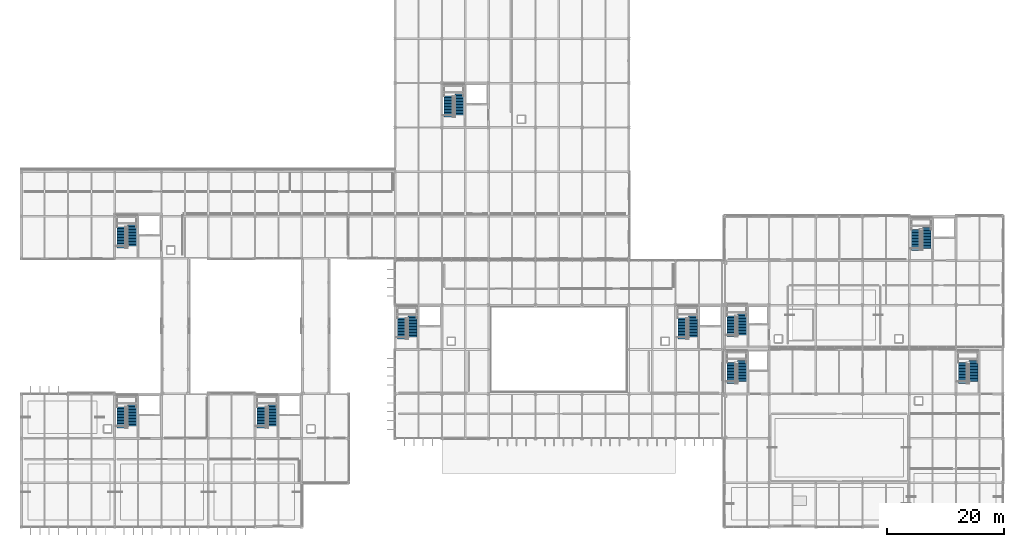
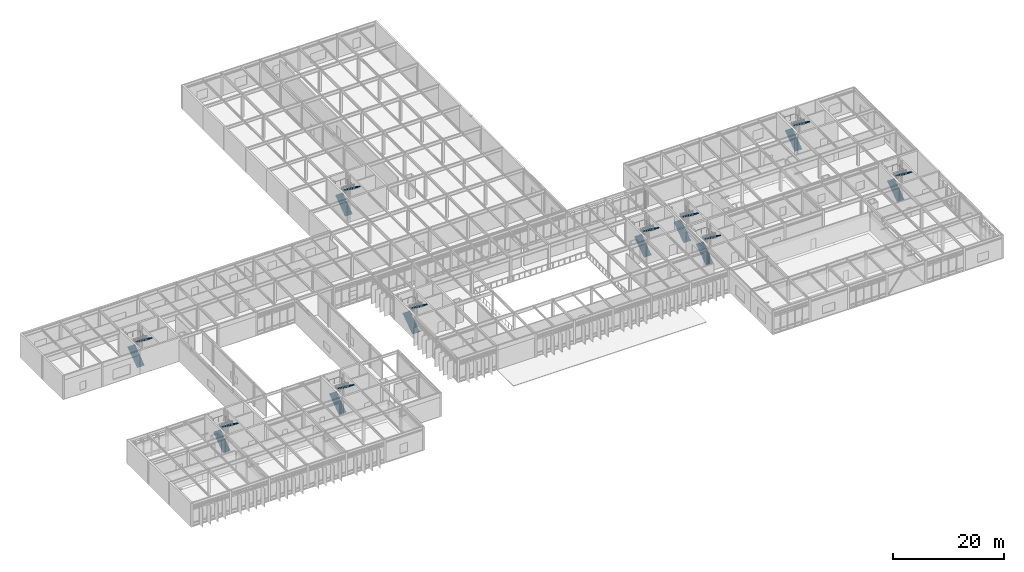
# One storey, part 79 of 94: 20 stair flights, 10 elements without a shape of their own.
"""IFC4 building model written with IfcOpenShell, lengths in metres."""

import ifcopenshell
import ifcopenshell.guid

model = None  # the IFC model being written
_history = None  # IfcOwnerHistory: only IFC2X3 demands one
_inside = {}  # id of a spatial element -> (the spatial element, [elements in it])
_under = {}  # id of a project, library or spatial element -> (it, [spatial elements below it])
_declared = {}  # id of a project -> (the project, [libraries it declares])
_typed = {}  # id of a type object -> (the type object, [elements of that type])
_made_of = {}  # id of a material, layer set ... -> (it, [elements and type objects made of it])


def new_model(schema):
    """Start an empty IFC model of exactly this schema.

    Asked for "IFC4X3", IfcOpenShell would pick the latest addendum, in which some entities
    have other attributes; the version numbers below select the first issue.
    IFC2X3 requires an IfcOwnerHistory on every rooted entity: one is made here for all.
    """
    global model, _history
    if schema == "IFC4X3":
        model = ifcopenshell.file(schema_version=(4, 3, 0, 0))
    else:
        model = ifcopenshell.file(schema=schema)
    _inside.clear()
    _under.clear()
    _declared.clear()
    _typed.clear()
    _made_of.clear()
    _history = None
    if model.schema == "IFC2X3":
        org = make("IfcOrganization", Name="unknown")
        user = make(
            "IfcPersonAndOrganization",
            ThePerson=make("IfcPerson", FamilyName="unknown"),
            TheOrganization=org,
        )
        app = make(
            "IfcApplication",
            ApplicationDeveloper=org,
            Version="unknown",
            ApplicationFullName="unknown",
            ApplicationIdentifier="unknown",
        )
        _history = make(
            "IfcOwnerHistory",
            OwningUser=user,
            OwningApplication=app,
            ChangeAction="ADDED",
            CreationDate=0,
        )
    return model


def make(cls, **values):
    """One entity of the class cls with the attributes given. An attribute that is None is left unset."""
    return model.create_entity(
        cls, **{name: value for name, value in values.items() if value is not None}
    )


def rooted(cls, **values):
    """An entity with a GlobalId (a new one), such as an element, a storey or a relation."""
    return make(cls, GlobalId=ifcopenshell.guid.new(), OwnerHistory=_history, **values)


def si_unit(unit_type, name, prefix=None):
    """IfcSIUnit, for example si_unit("LENGTHUNIT", "METRE", prefix="MILLI")."""
    return make("IfcSIUnit", UnitType=unit_type, Prefix=prefix, Name=name)


def assignment(units):
    """IfcUnitAssignment: the units of a project."""
    return None if units is None else make("IfcUnitAssignment", Units=units)


def point(xyz):
    """IfcCartesianPoint."""
    return None if xyz is None else make("IfcCartesianPoint", Coordinates=xyz)


def direction(xyz):
    """IfcDirection."""
    return None if xyz is None else make("IfcDirection", DirectionRatios=xyz)


def frame(location, z_axis=None, x_axis=None):
    """IfcAxis2Placement3D, a coordinate frame: its origin and axes. An axis left out is left unset."""
    return make(
        "IfcAxis2Placement3D",
        Location=point(location),
        Axis=direction(z_axis),
        RefDirection=direction(x_axis),
    )


def origin():
    """The frame at (0, 0, 0) with its axes left unset."""
    return frame((0.0, 0.0, 0.0))


def place(relative_to, where):
    """IfcLocalPlacement: puts the frame where relative to a parent placement (None: the world)."""
    return make(
        "IfcLocalPlacement", PlacementRelTo=relative_to, RelativePlacement=where
    )


def context(
    kind, dimensions, precision=None, world=None, true_north=None, identifier=None
):
    """IfcGeometricRepresentationContext, for example the 3D "Model" context."""
    return make(
        "IfcGeometricRepresentationContext",
        ContextIdentifier=identifier,
        ContextType=kind,
        CoordinateSpaceDimension=dimensions,
        Precision=precision,
        WorldCoordinateSystem=world,
        TrueNorth=true_north,
    )


def subcontext(parent, identifier, kind, view, scale=None):
    """IfcGeometricRepresentationSubContext, for example "Body" below "Model"."""
    return make(
        "IfcGeometricRepresentationSubContext",
        ContextIdentifier=identifier,
        ContextType=kind,
        ParentContext=parent,
        TargetScale=scale,
        TargetView=view,
    )


def project(units=None, contexts=None):
    """IfcProject with its units and contexts."""
    return rooted(
        "IfcProject",
        Name="project",
        RepresentationContexts=contexts,
        UnitsInContext=assignment(units),
    )


def spatial(cls, under=None, at=None, **own):
    """A site, building, storey or space (cls), placed at a placement, below another one or the project."""
    s = rooted(cls, ObjectPlacement=at, **own)
    if under is not None:
        _under.setdefault(under.id(), (under, []))[1].append(s)
    return s


def polyline(points):
    """IfcPolyline through the points."""
    return make("IfcPolyline", Points=[point(p) for p in points])


def outline(outer, holes=None, kind="AREA"):
    """IfcArbitraryClosedProfileDef: a profile drawn as a closed curve; with holes, ...WithVoids."""
    if holes is None:
        return make("IfcArbitraryClosedProfileDef", ProfileType=kind, OuterCurve=outer)
    return make(
        "IfcArbitraryProfileDefWithVoids",
        ProfileType=kind,
        OuterCurve=outer,
        InnerCurves=holes,
    )


def extrude(swept, where, along, depth):
    """IfcExtrudedAreaSolid: the profile swept, set in the frame where, extruded along a direction by depth."""
    return make(
        "IfcExtrudedAreaSolid",
        SweptArea=swept,
        Position=where,
        ExtrudedDirection=direction(along),
        Depth=depth,
    )


def shape(context_of_items, identifier, shape_type, items):
    """IfcShapeRepresentation: the items that make up one representation, for example the "Body"."""
    return make(
        "IfcShapeRepresentation",
        ContextOfItems=context_of_items,
        RepresentationIdentifier=identifier,
        RepresentationType=shape_type,
        Items=items,
    )


def material(Name=None, Category=None):
    """IfcMaterial."""
    return make("IfcMaterial", Name=Name, Category=Category)


def made_of(thing, what):
    """Note that an element or type object is made of a material, layer set ...; save() writes the relation."""
    if what is not None:
        _made_of.setdefault(what.id(), (what, []))[1].append(thing)
    return thing


def type_object(cls, material=None, **own):
    """A type object (cls), such as IfcWallType, which elements share."""
    return made_of(rooted(cls, **own), material)


def element(
    cls,
    number,
    at=None,
    inside=None,
    cuts=None,
    type_object=None,
    material=None,
    context=None,
    identifier="Body",
    shape_type=None,
    held_by="IfcProductDefinitionShape",
    body=None,
    shapes=None,
    **own,
):
    """One element of the class cls, such as IfcWall. Its Tag is "e" and its number.

    at: its placement. inside: the storey or other place that contains it. cuts: it is an
    opening in that element (IfcRelVoidsElement). A single representation is given by context,
    identifier, shape_type and body (its items); several are given by shapes. held_by: the class
    of the entity that holds the representations. save() writes the other relations.
    """
    e = rooted(cls, Tag="e%d" % number, ObjectPlacement=at, **own)
    if body is not None:
        shapes = [shape(context, identifier, shape_type, body)]
    if shapes is not None:
        e.Representation = make(held_by, Representations=shapes)
    if inside is not None:
        _inside.setdefault(inside.id(), (inside, []))[1].append(e)
    if cuts is not None:
        rooted(
            "IfcRelVoidsElement", RelatingBuildingElement=cuts, RelatedOpeningElement=e
        )
    if type_object is not None:
        _typed.setdefault(type_object.id(), (type_object, []))[1].append(e)
    return made_of(e, material)


def aggregate(whole, parts):
    """IfcRelAggregates: a whole, such as a stair, and the parts it consists of."""
    return rooted("IfcRelAggregates", RelatingObject=whole, RelatedObjects=parts)


def save(model, path):
    """Write the relations noted so far, then the file.

    IfcRelAggregates (storeys below a building ...), IfcRelContainedInSpatialStructure (elements
    in a storey), IfcRelDefinesByType, IfcRelAssociatesMaterial and IfcRelDeclares: one each for
    every whole, place, type object, material and project.
    """
    for whole, parts in _under.values():
        aggregate(whole, parts)
    for where, things in _inside.values():
        rooted(
            "IfcRelContainedInSpatialStructure",
            RelatedElements=things,
            RelatingStructure=where,
        )
    for kind, things in _typed.values():
        rooted("IfcRelDefinesByType", RelatedObjects=things, RelatingType=kind)
    for what, things in _made_of.values():
        rooted("IfcRelAssociatesMaterial", RelatedObjects=things, RelatingMaterial=what)
    for by, libraries in _declared.values():
        rooted("IfcRelDeclares", RelatingContext=by, RelatedDefinitions=libraries)
    model.write(path)


model = new_model("IFC4")

# Units and contexts
model_context = context("Model", 3, precision=1e-05, world=origin(), true_north=direction((0.0, 1.0)))
body_context = subcontext(model_context, "Body", "Model", "MODEL_VIEW")
ifc_project = project(units=[si_unit("LENGTHUNIT", "METRE"), si_unit("AREAUNIT", "SQUARE_METRE"), si_unit("VOLUMEUNIT", "CUBIC_METRE"), si_unit("PLANEANGLEUNIT", "RADIAN"), si_unit("MASSUNIT", "GRAM", prefix="KILO")], contexts=[model_context])

# Site, building, storey
site_placement = place(None, origin())
site = spatial("IfcSite", under=ifc_project, at=site_placement, CompositionType="ELEMENT")
building_placement = place(site_placement, origin())
building = spatial("IfcBuilding", under=site, at=building_placement, Name="Zulena Civic Courthouse", CompositionType="ELEMENT")
storey_placement = place(building_placement, frame((0.0, 0.0, 5.39990234375)))
storey = spatial("IfcBuildingStorey", under=building, at=storey_placement, Name="L01", CompositionType="ELEMENT", Elevation=5.39990234375)

# Stair, stair flights
ifc_material = material(Name="Precast concrete C40/50", Category="concrete")
stair_type = type_object("IfcStairType", Name="HalfTurnStair_5400", PredefinedType="HALF_TURN_STAIR", material=ifc_material)
stair_1_placement = place(storey_placement, origin())
stair_1 = element("IfcStair", 1, at=stair_1_placement, inside=storey, type_object=stair_type, Name="stair:K2A:L01", PredefinedType="HALF_TURN_STAIR")
stair_flight_type = type_object("IfcStairFlightType", Name="StairFlight_5400", PredefinedType="STRAIGHT", material=ifc_material)
stair_flight_1_placement = place(storey_placement, frame((21.1298828125, 16.97998046875, 0.0), z_axis=(0.0, 0.0, 1.0), x_axis=(0.0, 1.0, 0.0)))
stair_flight_1 = element("IfcStairFlight", 2, at=stair_flight_1_placement, type_object=stair_flight_type, Name="stair:K2A:L01:F1", NumberOfRisers=15, NumberOfTreads=14, PredefinedType="STRAIGHT", RiserHeight=0.18, TreadLength=0.255, context=body_context, shape_type="SweptSolid", body=[
    extrude(outline(polyline([(0.0, 0.0), (0.0, 0.179931640625), (0.2548828125, 0.179931640625), (0.2548828125, 0.360107421875), (0.510009765625, 0.360107421875), (0.510009765625, 0.5400390625), (0.764892578125, 0.5400390625), (0.764892578125, 0.719970703125), (1.02001953125, 0.719970703125), (1.02001953125, 0.89990234375), (1.27490234375, 0.89990234375), (1.27490234375, 1.080078125), (1.530029296875, 1.080078125), (1.530029296875, 1.260009765625), (1.784912109375, 1.260009765625), (1.784912109375, 1.43994140625), (2.0400390625, 1.43994140625), (2.0400390625, 1.6201171875), (2.294921875, 1.6201171875), (2.294921875, 1.800048828125), (2.550048828125, 1.800048828125), (2.550048828125, 1.97998046875), (2.804931640625, 1.97998046875), (2.804931640625, 2.159912109375), (3.06005859375, 2.159912109375), (3.06005859375, 2.340087890625), (3.31494140625, 2.340087890625), (3.31494140625, 2.52001953125), (3.570068359375, 2.52001953125), (3.570068359375, 2.699951171875), (3.570068359375, 2.3916015625), (0.18212890625, 0.0), (0.0, 0.0)])), frame((0.0, 0.75, 0.0), z_axis=(0.0, -1.0, 0.0), x_axis=(1.0, 0.0, 0.0)), (0.0, 0.0, 1.0), 1.5),
])
stair_flight_2_placement = place(storey_placement, frame((22.969970703125, 20.8896484375, 2.7001953125), z_axis=(0.0, 0.0, 1.0), x_axis=(0.0, -1.0, 0.0)))
stair_flight_2 = element("IfcStairFlight", 3, at=stair_flight_2_placement, type_object=stair_flight_type, Name="stair:K2A:L01:F2", NumberOfRisers=15, NumberOfTreads=14, PredefinedType="STRAIGHT", RiserHeight=0.18, TreadLength=0.255, context=body_context, shape_type="SweptSolid", body=[
    extrude(outline(polyline([(0.0, 0.0), (0.0, 0.179931640625), (0.2548828125, 0.179931640625), (0.2548828125, 0.360107421875), (0.510009765625, 0.360107421875), (0.510009765625, 0.5400390625), (0.764892578125, 0.5400390625), (0.764892578125, 0.719970703125), (1.02001953125, 0.719970703125), (1.02001953125, 0.89990234375), (1.27490234375, 0.89990234375), (1.27490234375, 1.080078125), (1.530029296875, 1.080078125), (1.530029296875, 1.260009765625), (1.784912109375, 1.260009765625), (1.784912109375, 1.43994140625), (2.0400390625, 1.43994140625), (2.0400390625, 1.6201171875), (2.294921875, 1.6201171875), (2.294921875, 1.800048828125), (2.550048828125, 1.800048828125), (2.550048828125, 1.97998046875), (2.804931640625, 1.97998046875), (2.804931640625, 2.159912109375), (3.06005859375, 2.159912109375), (3.06005859375, 2.340087890625), (3.31494140625, 2.340087890625), (3.31494140625, 2.52001953125), (3.570068359375, 2.52001953125), (3.570068359375, 2.699951171875), (3.570068359375, 2.3916015625), (0.18212890625, 0.0), (0.0, 0.0)])), frame((0.0, 0.75, 0.0), z_axis=(0.0, -1.0, 0.0), x_axis=(1.0, 0.0, 0.0)), (0.0, 0.0, 1.0), 1.5),
])
aggregate(stair_1, [stair_flight_1, stair_flight_2])

stair_2_placement = place(storey_placement, origin())
stair_2 = element("IfcStair", 4, at=stair_2_placement, inside=storey, type_object=stair_type, Name="stair:K2B:L01", PredefinedType="HALF_TURN_STAIR")
stair_flight_3_placement = place(storey_placement, frame((45.1298828125, 16.97998046875, 0.0), z_axis=(0.0, 0.0, 1.0), x_axis=(0.0, 1.0, 0.0)))
stair_flight_3 = element("IfcStairFlight", 5, at=stair_flight_3_placement, type_object=stair_flight_type, Name="stair:K2B:L01:F1", NumberOfRisers=15, NumberOfTreads=14, PredefinedType="STRAIGHT", RiserHeight=0.18, TreadLength=0.255, context=body_context, shape_type="SweptSolid", body=[
    extrude(outline(polyline([(0.0, 0.0), (0.0, 0.179931640625), (0.2548828125, 0.179931640625), (0.2548828125, 0.360107421875), (0.510009765625, 0.360107421875), (0.510009765625, 0.5400390625), (0.764892578125, 0.5400390625), (0.764892578125, 0.719970703125), (1.02001953125, 0.719970703125), (1.02001953125, 0.89990234375), (1.27490234375, 0.89990234375), (1.27490234375, 1.080078125), (1.530029296875, 1.080078125), (1.530029296875, 1.260009765625), (1.784912109375, 1.260009765625), (1.784912109375, 1.43994140625), (2.0400390625, 1.43994140625), (2.0400390625, 1.6201171875), (2.294921875, 1.6201171875), (2.294921875, 1.800048828125), (2.550048828125, 1.800048828125), (2.550048828125, 1.97998046875), (2.804931640625, 1.97998046875), (2.804931640625, 2.159912109375), (3.06005859375, 2.159912109375), (3.06005859375, 2.340087890625), (3.31494140625, 2.340087890625), (3.31494140625, 2.52001953125), (3.570068359375, 2.52001953125), (3.570068359375, 2.699951171875), (3.570068359375, 2.3916015625), (0.18212890625, 0.0), (0.0, 0.0)])), frame((0.0, 0.75, 0.0), z_axis=(0.0, -1.0, 0.0), x_axis=(1.0, 0.0, 0.0)), (0.0, 0.0, 1.0), 1.5),
])
stair_flight_4_placement = place(storey_placement, frame((46.969970703125, 20.8896484375, 2.7001953125), z_axis=(0.0, 0.0, 1.0), x_axis=(0.0, -1.0, 0.0)))
stair_flight_4 = element("IfcStairFlight", 6, at=stair_flight_4_placement, type_object=stair_flight_type, Name="stair:K2B:L01:F2", NumberOfRisers=15, NumberOfTreads=14, PredefinedType="STRAIGHT", RiserHeight=0.18, TreadLength=0.255, context=body_context, shape_type="SweptSolid", body=[
    extrude(outline(polyline([(0.0, 0.0), (0.0, 0.179931640625), (0.2548828125, 0.179931640625), (0.2548828125, 0.360107421875), (0.510009765625, 0.360107421875), (0.510009765625, 0.5400390625), (0.764892578125, 0.5400390625), (0.764892578125, 0.719970703125), (1.02001953125, 0.719970703125), (1.02001953125, 0.89990234375), (1.27490234375, 0.89990234375), (1.27490234375, 1.080078125), (1.530029296875, 1.080078125), (1.530029296875, 1.260009765625), (1.784912109375, 1.260009765625), (1.784912109375, 1.43994140625), (2.0400390625, 1.43994140625), (2.0400390625, 1.6201171875), (2.294921875, 1.6201171875), (2.294921875, 1.800048828125), (2.550048828125, 1.800048828125), (2.550048828125, 1.97998046875), (2.804931640625, 1.97998046875), (2.804931640625, 2.159912109375), (3.06005859375, 2.159912109375), (3.06005859375, 2.340087890625), (3.31494140625, 2.340087890625), (3.31494140625, 2.52001953125), (3.570068359375, 2.52001953125), (3.570068359375, 2.699951171875), (3.570068359375, 2.3916015625), (0.18212890625, 0.0), (0.0, 0.0)])), frame((0.0, 0.75, 0.0), z_axis=(0.0, -1.0, 0.0), x_axis=(1.0, 0.0, 0.0)), (0.0, 0.0, 1.0), 1.5),
])
aggregate(stair_2, [stair_flight_3, stair_flight_4])

stair_3_placement = place(storey_placement, origin())
stair_3 = element("IfcStair", 7, at=stair_3_placement, inside=storey, type_object=stair_type, Name="stair:K1A:L01", PredefinedType="HALF_TURN_STAIR")
stair_flight_5_placement = place(storey_placement, frame((125.530029296875, 24.580078125, 0.0), z_axis=(0.0, 0.0, 1.0), x_axis=(0.0, 1.0, 0.0)))
stair_flight_5 = element("IfcStairFlight", 8, at=stair_flight_5_placement, type_object=stair_flight_type, Name="stair:K1A:L01:F1", NumberOfRisers=15, NumberOfTreads=14, PredefinedType="STRAIGHT", RiserHeight=0.18, TreadLength=0.255, context=body_context, shape_type="SweptSolid", body=[
    extrude(outline(polyline([(0.0, 0.0), (0.0, 0.179931640625), (0.2548828125, 0.179931640625), (0.2548828125, 0.360107421875), (0.510009765625, 0.360107421875), (0.510009765625, 0.5400390625), (0.764892578125, 0.5400390625), (0.764892578125, 0.719970703125), (1.02001953125, 0.719970703125), (1.02001953125, 0.89990234375), (1.27490234375, 0.89990234375), (1.27490234375, 1.080078125), (1.530029296875, 1.080078125), (1.530029296875, 1.260009765625), (1.784912109375, 1.260009765625), (1.784912109375, 1.43994140625), (2.0400390625, 1.43994140625), (2.0400390625, 1.6201171875), (2.294921875, 1.6201171875), (2.294921875, 1.800048828125), (2.550048828125, 1.800048828125), (2.550048828125, 1.97998046875), (2.804931640625, 1.97998046875), (2.804931640625, 2.159912109375), (3.06005859375, 2.159912109375), (3.06005859375, 2.340087890625), (3.31494140625, 2.340087890625), (3.31494140625, 2.52001953125), (3.570068359375, 2.52001953125), (3.570068359375, 2.699951171875), (3.570068359375, 2.3916015625), (0.18212890625, 0.0), (0.0, 0.0)])), frame((0.0, 0.75, 0.0), z_axis=(0.0, -1.0, 0.0), x_axis=(1.0, 0.0, 0.0)), (0.0, 0.0, 1.0), 1.5),
])
stair_flight_6_placement = place(storey_placement, frame((127.3701171875, 28.48974609375, 2.7001953125), z_axis=(0.0, 0.0, 1.0), x_axis=(0.0, -1.0, 0.0)))
stair_flight_6 = element("IfcStairFlight", 9, at=stair_flight_6_placement, type_object=stair_flight_type, Name="stair:K1A:L01:F2", NumberOfRisers=15, NumberOfTreads=14, PredefinedType="STRAIGHT", RiserHeight=0.18, TreadLength=0.255, context=body_context, shape_type="SweptSolid", body=[
    extrude(outline(polyline([(0.0, 0.0), (0.0, 0.179931640625), (0.2548828125, 0.179931640625), (0.2548828125, 0.360107421875), (0.510009765625, 0.360107421875), (0.510009765625, 0.5400390625), (0.764892578125, 0.5400390625), (0.764892578125, 0.719970703125), (1.02001953125, 0.719970703125), (1.02001953125, 0.89990234375), (1.27490234375, 0.89990234375), (1.27490234375, 1.080078125), (1.530029296875, 1.080078125), (1.530029296875, 1.260009765625), (1.784912109375, 1.260009765625), (1.784912109375, 1.43994140625), (2.0400390625, 1.43994140625), (2.0400390625, 1.6201171875), (2.294921875, 1.6201171875), (2.294921875, 1.800048828125), (2.550048828125, 1.800048828125), (2.550048828125, 1.97998046875), (2.804931640625, 1.97998046875), (2.804931640625, 2.159912109375), (3.06005859375, 2.159912109375), (3.06005859375, 2.340087890625), (3.31494140625, 2.340087890625), (3.31494140625, 2.52001953125), (3.570068359375, 2.52001953125), (3.570068359375, 2.699951171875), (3.570068359375, 2.3916015625), (0.18212890625, 0.0), (0.0, 0.0)])), frame((0.0, 0.75, 0.0), z_axis=(0.0, -1.0, 0.0), x_axis=(1.0, 0.0, 0.0)), (0.0, 0.0, 1.0), 1.5),
])
aggregate(stair_3, [stair_flight_5, stair_flight_6])

stair_4_placement = place(storey_placement, origin())
stair_4 = element("IfcStair", 10, at=stair_4_placement, inside=storey, type_object=stair_type, Name="stair:K1B:L01", PredefinedType="HALF_TURN_STAIR")
stair_flight_7_placement = place(storey_placement, frame((165.1298828125, 24.580078125, 0.0), z_axis=(0.0, 0.0, 1.0), x_axis=(0.0, 1.0, 0.0)))
stair_flight_7 = element("IfcStairFlight", 11, at=stair_flight_7_placement, type_object=stair_flight_type, Name="stair:K1B:L01:F1", NumberOfRisers=15, NumberOfTreads=14, PredefinedType="STRAIGHT", RiserHeight=0.18, TreadLength=0.255, context=body_context, shape_type="SweptSolid", body=[
    extrude(outline(polyline([(0.0, 0.0), (0.0, 0.179931640625), (0.2548828125, 0.179931640625), (0.2548828125, 0.360107421875), (0.510009765625, 0.360107421875), (0.510009765625, 0.5400390625), (0.764892578125, 0.5400390625), (0.764892578125, 0.719970703125), (1.02001953125, 0.719970703125), (1.02001953125, 0.89990234375), (1.27490234375, 0.89990234375), (1.27490234375, 1.080078125), (1.530029296875, 1.080078125), (1.530029296875, 1.260009765625), (1.784912109375, 1.260009765625), (1.784912109375, 1.43994140625), (2.0400390625, 1.43994140625), (2.0400390625, 1.6201171875), (2.294921875, 1.6201171875), (2.294921875, 1.800048828125), (2.550048828125, 1.800048828125), (2.550048828125, 1.97998046875), (2.804931640625, 1.97998046875), (2.804931640625, 2.159912109375), (3.06005859375, 2.159912109375), (3.06005859375, 2.340087890625), (3.31494140625, 2.340087890625), (3.31494140625, 2.52001953125), (3.570068359375, 2.52001953125), (3.570068359375, 2.699951171875), (3.570068359375, 2.3916015625), (0.18212890625, 0.0), (0.0, 0.0)])), frame((0.0, 0.75, 0.0), z_axis=(0.0, -1.0, 0.0), x_axis=(1.0, 0.0, 0.0)), (0.0, 0.0, 1.0), 1.5),
])
stair_flight_8_placement = place(storey_placement, frame((166.969970703125, 28.48974609375, 2.7001953125), z_axis=(0.0, 0.0, 1.0), x_axis=(0.0, -1.0, 0.0)))
stair_flight_8 = element("IfcStairFlight", 12, at=stair_flight_8_placement, type_object=stair_flight_type, Name="stair:K1B:L01:F2", NumberOfRisers=15, NumberOfTreads=14, PredefinedType="STRAIGHT", RiserHeight=0.18, TreadLength=0.255, context=body_context, shape_type="SweptSolid", body=[
    extrude(outline(polyline([(0.0, 0.0), (0.0, 0.179931640625), (0.2548828125, 0.179931640625), (0.2548828125, 0.360107421875), (0.510009765625, 0.360107421875), (0.510009765625, 0.5400390625), (0.764892578125, 0.5400390625), (0.764892578125, 0.719970703125), (1.02001953125, 0.719970703125), (1.02001953125, 0.89990234375), (1.27490234375, 0.89990234375), (1.27490234375, 1.080078125), (1.530029296875, 1.080078125), (1.530029296875, 1.260009765625), (1.784912109375, 1.260009765625), (1.784912109375, 1.43994140625), (2.0400390625, 1.43994140625), (2.0400390625, 1.6201171875), (2.294921875, 1.6201171875), (2.294921875, 1.800048828125), (2.550048828125, 1.800048828125), (2.550048828125, 1.97998046875), (2.804931640625, 1.97998046875), (2.804931640625, 2.159912109375), (3.06005859375, 2.159912109375), (3.06005859375, 2.340087890625), (3.31494140625, 2.340087890625), (3.31494140625, 2.52001953125), (3.570068359375, 2.52001953125), (3.570068359375, 2.699951171875), (3.570068359375, 2.3916015625), (0.18212890625, 0.0), (0.0, 0.0)])), frame((0.0, 0.75, 0.0), z_axis=(0.0, -1.0, 0.0), x_axis=(1.0, 0.0, 0.0)), (0.0, 0.0, 1.0), 1.5),
])
aggregate(stair_4, [stair_flight_7, stair_flight_8])

stair_5_placement = place(storey_placement, origin())
stair_5 = element("IfcStair", 13, at=stair_5_placement, inside=storey, type_object=stair_type, Name="stair:K3A:L01", PredefinedType="HALF_TURN_STAIR")
stair_flight_9_placement = place(storey_placement, frame((125.530029296875, 32.580078125, 0.0), z_axis=(0.0, 0.0, 1.0), x_axis=(0.0, 1.0, 0.0)))
stair_flight_9 = element("IfcStairFlight", 14, at=stair_flight_9_placement, type_object=stair_flight_type, Name="stair:K3A:L01:F1", NumberOfRisers=15, NumberOfTreads=14, PredefinedType="STRAIGHT", RiserHeight=0.18, TreadLength=0.255, context=body_context, shape_type="SweptSolid", body=[
    extrude(outline(polyline([(0.0, 0.0), (0.0, 0.179931640625), (0.2548828125, 0.179931640625), (0.2548828125, 0.360107421875), (0.510009765625, 0.360107421875), (0.510009765625, 0.5400390625), (0.764892578125, 0.5400390625), (0.764892578125, 0.719970703125), (1.02001953125, 0.719970703125), (1.02001953125, 0.89990234375), (1.27490234375, 0.89990234375), (1.27490234375, 1.080078125), (1.530029296875, 1.080078125), (1.530029296875, 1.260009765625), (1.784912109375, 1.260009765625), (1.784912109375, 1.43994140625), (2.0400390625, 1.43994140625), (2.0400390625, 1.6201171875), (2.294921875, 1.6201171875), (2.294921875, 1.800048828125), (2.550048828125, 1.800048828125), (2.550048828125, 1.97998046875), (2.804931640625, 1.97998046875), (2.804931640625, 2.159912109375), (3.06005859375, 2.159912109375), (3.06005859375, 2.340087890625), (3.31494140625, 2.340087890625), (3.31494140625, 2.52001953125), (3.570068359375, 2.52001953125), (3.570068359375, 2.699951171875), (3.570068359375, 2.3916015625), (0.18212890625, 0.0), (0.0, 0.0)])), frame((0.0, 0.75, 0.0), z_axis=(0.0, -1.0, 0.0), x_axis=(1.0, 0.0, 0.0)), (0.0, 0.0, 1.0), 1.5),
])
stair_flight_10_placement = place(storey_placement, frame((127.3701171875, 36.48974609375, 2.7001953125), z_axis=(0.0, 0.0, 1.0), x_axis=(0.0, -1.0, 0.0)))
stair_flight_10 = element("IfcStairFlight", 15, at=stair_flight_10_placement, type_object=stair_flight_type, Name="stair:K3A:L01:F2", NumberOfRisers=15, NumberOfTreads=14, PredefinedType="STRAIGHT", RiserHeight=0.18, TreadLength=0.255, context=body_context, shape_type="SweptSolid", body=[
    extrude(outline(polyline([(0.0, 0.0), (0.0, 0.179931640625), (0.2548828125, 0.179931640625), (0.2548828125, 0.360107421875), (0.510009765625, 0.360107421875), (0.510009765625, 0.5400390625), (0.764892578125, 0.5400390625), (0.764892578125, 0.719970703125), (1.02001953125, 0.719970703125), (1.02001953125, 0.89990234375), (1.27490234375, 0.89990234375), (1.27490234375, 1.080078125), (1.530029296875, 1.080078125), (1.530029296875, 1.260009765625), (1.784912109375, 1.260009765625), (1.784912109375, 1.43994140625), (2.0400390625, 1.43994140625), (2.0400390625, 1.6201171875), (2.294921875, 1.6201171875), (2.294921875, 1.800048828125), (2.550048828125, 1.800048828125), (2.550048828125, 1.97998046875), (2.804931640625, 1.97998046875), (2.804931640625, 2.159912109375), (3.06005859375, 2.159912109375), (3.06005859375, 2.340087890625), (3.31494140625, 2.340087890625), (3.31494140625, 2.52001953125), (3.570068359375, 2.52001953125), (3.570068359375, 2.699951171875), (3.570068359375, 2.3916015625), (0.18212890625, 0.0), (0.0, 0.0)])), frame((0.0, 0.75, 0.0), z_axis=(0.0, -1.0, 0.0), x_axis=(1.0, 0.0, 0.0)), (0.0, 0.0, 1.0), 1.5),
])
aggregate(stair_5, [stair_flight_9, stair_flight_10])

stair_6_placement = place(storey_placement, origin())
stair_6 = element("IfcStair", 16, at=stair_6_placement, inside=storey, type_object=stair_type, Name="stair:K3B:L01", PredefinedType="HALF_TURN_STAIR")
stair_flight_11_placement = place(storey_placement, frame((157.1298828125, 47.3798828125, 0.0), z_axis=(0.0, 0.0, 1.0), x_axis=(0.0, 1.0, 0.0)))
stair_flight_11 = element("IfcStairFlight", 17, at=stair_flight_11_placement, type_object=stair_flight_type, Name="stair:K3B:L01:F1", NumberOfRisers=15, NumberOfTreads=14, PredefinedType="STRAIGHT", RiserHeight=0.18, TreadLength=0.255, context=body_context, shape_type="SweptSolid", body=[
    extrude(outline(polyline([(0.0, 0.0), (0.0, 0.179931640625), (0.2548828125, 0.179931640625), (0.2548828125, 0.360107421875), (0.510009765625, 0.360107421875), (0.510009765625, 0.5400390625), (0.764892578125, 0.5400390625), (0.764892578125, 0.719970703125), (1.02001953125, 0.719970703125), (1.02001953125, 0.89990234375), (1.27490234375, 0.89990234375), (1.27490234375, 1.080078125), (1.530029296875, 1.080078125), (1.530029296875, 1.260009765625), (1.784912109375, 1.260009765625), (1.784912109375, 1.43994140625), (2.0400390625, 1.43994140625), (2.0400390625, 1.6201171875), (2.294921875, 1.6201171875), (2.294921875, 1.800048828125), (2.550048828125, 1.800048828125), (2.550048828125, 1.97998046875), (2.804931640625, 1.97998046875), (2.804931640625, 2.159912109375), (3.06005859375, 2.159912109375), (3.06005859375, 2.340087890625), (3.31494140625, 2.340087890625), (3.31494140625, 2.52001953125), (3.570068359375, 2.52001953125), (3.570068359375, 2.699951171875), (3.570068359375, 2.3916015625), (0.18212890625, 0.0), (0.0, 0.0)])), frame((0.0, 0.75, 0.0), z_axis=(0.0, -1.0, 0.0), x_axis=(1.0, 0.0, 0.0)), (0.0, 0.0, 1.0), 1.5),
])
stair_flight_12_placement = place(storey_placement, frame((158.969970703125, 51.289794921875, 2.7001953125), z_axis=(0.0, 0.0, 1.0), x_axis=(0.0, -1.0, 0.0)))
stair_flight_12 = element("IfcStairFlight", 18, at=stair_flight_12_placement, type_object=stair_flight_type, Name="stair:K3B:L01:F2", NumberOfRisers=15, NumberOfTreads=14, PredefinedType="STRAIGHT", RiserHeight=0.18, TreadLength=0.255, context=body_context, shape_type="SweptSolid", body=[
    extrude(outline(polyline([(0.0, 0.0), (0.0, 0.179931640625), (0.2548828125, 0.179931640625), (0.2548828125, 0.360107421875), (0.510009765625, 0.360107421875), (0.510009765625, 0.5400390625), (0.764892578125, 0.5400390625), (0.764892578125, 0.719970703125), (1.02001953125, 0.719970703125), (1.02001953125, 0.89990234375), (1.27490234375, 0.89990234375), (1.27490234375, 1.080078125), (1.530029296875, 1.080078125), (1.530029296875, 1.260009765625), (1.784912109375, 1.260009765625), (1.784912109375, 1.43994140625), (2.0400390625, 1.43994140625), (2.0400390625, 1.6201171875), (2.294921875, 1.6201171875), (2.294921875, 1.800048828125), (2.550048828125, 1.800048828125), (2.550048828125, 1.97998046875), (2.804931640625, 1.97998046875), (2.804931640625, 2.159912109375), (3.06005859375, 2.159912109375), (3.06005859375, 2.340087890625), (3.31494140625, 2.340087890625), (3.31494140625, 2.52001953125), (3.570068359375, 2.52001953125), (3.570068359375, 2.699951171875), (3.570068359375, 2.3916015625), (0.18212890625, 0.0), (0.0, 0.0)])), frame((0.0, 0.75, 0.0), z_axis=(0.0, -1.0, 0.0), x_axis=(1.0, 0.0, 0.0)), (0.0, 0.0, 1.0), 1.5),
])
aggregate(stair_6, [stair_flight_11, stair_flight_12])

stair_7_placement = place(storey_placement, origin())
stair_7 = element("IfcStair", 19, at=stair_7_placement, inside=storey, type_object=stair_type, Name="stair:K4A:L01", PredefinedType="HALF_TURN_STAIR")
stair_flight_13_placement = place(storey_placement, frame((69.1298828125, 32.179931640625, 0.0), z_axis=(0.0, 0.0, 1.0), x_axis=(0.0, 1.0, 0.0)))
stair_flight_13 = element("IfcStairFlight", 20, at=stair_flight_13_placement, type_object=stair_flight_type, Name="stair:K4A:L01:F1", NumberOfRisers=15, NumberOfTreads=14, PredefinedType="STRAIGHT", RiserHeight=0.18, TreadLength=0.255, context=body_context, shape_type="SweptSolid", body=[
    extrude(outline(polyline([(0.0, 0.0), (0.0, 0.179931640625), (0.2548828125, 0.179931640625), (0.2548828125, 0.360107421875), (0.510009765625, 0.360107421875), (0.510009765625, 0.5400390625), (0.764892578125, 0.5400390625), (0.764892578125, 0.719970703125), (1.02001953125, 0.719970703125), (1.02001953125, 0.89990234375), (1.27490234375, 0.89990234375), (1.27490234375, 1.080078125), (1.530029296875, 1.080078125), (1.530029296875, 1.260009765625), (1.784912109375, 1.260009765625), (1.784912109375, 1.43994140625), (2.0400390625, 1.43994140625), (2.0400390625, 1.6201171875), (2.294921875, 1.6201171875), (2.294921875, 1.800048828125), (2.550048828125, 1.800048828125), (2.550048828125, 1.97998046875), (2.804931640625, 1.97998046875), (2.804931640625, 2.159912109375), (3.06005859375, 2.159912109375), (3.06005859375, 2.340087890625), (3.31494140625, 2.340087890625), (3.31494140625, 2.52001953125), (3.570068359375, 2.52001953125), (3.570068359375, 2.699951171875), (3.570068359375, 2.3916015625), (0.18212890625, 0.0), (0.0, 0.0)])), frame((0.0, 0.75, 0.0), z_axis=(0.0, -1.0, 0.0), x_axis=(1.0, 0.0, 0.0)), (0.0, 0.0, 1.0), 1.5),
])
stair_flight_14_placement = place(storey_placement, frame((70.969970703125, 36.089599609375, 2.7001953125), z_axis=(0.0, 0.0, 1.0), x_axis=(0.0, -1.0, 0.0)))
stair_flight_14 = element("IfcStairFlight", 21, at=stair_flight_14_placement, type_object=stair_flight_type, Name="stair:K4A:L01:F2", NumberOfRisers=15, NumberOfTreads=14, PredefinedType="STRAIGHT", RiserHeight=0.18, TreadLength=0.255, context=body_context, shape_type="SweptSolid", body=[
    extrude(outline(polyline([(0.0, 0.0), (0.0, 0.179931640625), (0.2548828125, 0.179931640625), (0.2548828125, 0.360107421875), (0.510009765625, 0.360107421875), (0.510009765625, 0.5400390625), (0.764892578125, 0.5400390625), (0.764892578125, 0.719970703125), (1.02001953125, 0.719970703125), (1.02001953125, 0.89990234375), (1.27490234375, 0.89990234375), (1.27490234375, 1.080078125), (1.530029296875, 1.080078125), (1.530029296875, 1.260009765625), (1.784912109375, 1.260009765625), (1.784912109375, 1.43994140625), (2.0400390625, 1.43994140625), (2.0400390625, 1.6201171875), (2.294921875, 1.6201171875), (2.294921875, 1.800048828125), (2.550048828125, 1.800048828125), (2.550048828125, 1.97998046875), (2.804931640625, 1.97998046875), (2.804931640625, 2.159912109375), (3.06005859375, 2.159912109375), (3.06005859375, 2.340087890625), (3.31494140625, 2.340087890625), (3.31494140625, 2.52001953125), (3.570068359375, 2.52001953125), (3.570068359375, 2.699951171875), (3.570068359375, 2.3916015625), (0.18212890625, 0.0), (0.0, 0.0)])), frame((0.0, 0.75, 0.0), z_axis=(0.0, -1.0, 0.0), x_axis=(1.0, 0.0, 0.0)), (0.0, 0.0, 1.0), 1.5),
])
aggregate(stair_7, [stair_flight_13, stair_flight_14])

stair_8_placement = place(storey_placement, origin())
stair_8 = element("IfcStair", 22, at=stair_8_placement, inside=storey, type_object=stair_type, Name="stair:K4B:L01", PredefinedType="HALF_TURN_STAIR")
stair_flight_15_placement = place(storey_placement, frame((117.1298828125, 32.179931640625, 0.0), z_axis=(0.0, 0.0, 1.0), x_axis=(0.0, 1.0, 0.0)))
stair_flight_15 = element("IfcStairFlight", 23, at=stair_flight_15_placement, type_object=stair_flight_type, Name="stair:K4B:L01:F1", NumberOfRisers=15, NumberOfTreads=14, PredefinedType="STRAIGHT", RiserHeight=0.18, TreadLength=0.255, context=body_context, shape_type="SweptSolid", body=[
    extrude(outline(polyline([(0.0, 0.0), (0.0, 0.179931640625), (0.2548828125, 0.179931640625), (0.2548828125, 0.360107421875), (0.510009765625, 0.360107421875), (0.510009765625, 0.5400390625), (0.764892578125, 0.5400390625), (0.764892578125, 0.719970703125), (1.02001953125, 0.719970703125), (1.02001953125, 0.89990234375), (1.27490234375, 0.89990234375), (1.27490234375, 1.080078125), (1.530029296875, 1.080078125), (1.530029296875, 1.260009765625), (1.784912109375, 1.260009765625), (1.784912109375, 1.43994140625), (2.0400390625, 1.43994140625), (2.0400390625, 1.6201171875), (2.294921875, 1.6201171875), (2.294921875, 1.800048828125), (2.550048828125, 1.800048828125), (2.550048828125, 1.97998046875), (2.804931640625, 1.97998046875), (2.804931640625, 2.159912109375), (3.06005859375, 2.159912109375), (3.06005859375, 2.340087890625), (3.31494140625, 2.340087890625), (3.31494140625, 2.52001953125), (3.570068359375, 2.52001953125), (3.570068359375, 2.699951171875), (3.570068359375, 2.3916015625), (0.18212890625, 0.0), (0.0, 0.0)])), frame((0.0, 0.75, 0.0), z_axis=(0.0, -1.0, 0.0), x_axis=(1.0, 0.0, 0.0)), (0.0, 0.0, 1.0), 1.5),
])
stair_flight_16_placement = place(storey_placement, frame((118.969970703125, 36.089599609375, 2.7001953125), z_axis=(0.0, 0.0, 1.0), x_axis=(0.0, -1.0, 0.0)))
stair_flight_16 = element("IfcStairFlight", 24, at=stair_flight_16_placement, type_object=stair_flight_type, Name="stair:K4B:L01:F2", NumberOfRisers=15, NumberOfTreads=14, PredefinedType="STRAIGHT", RiserHeight=0.18, TreadLength=0.255, context=body_context, shape_type="SweptSolid", body=[
    extrude(outline(polyline([(0.0, 0.0), (0.0, 0.179931640625), (0.2548828125, 0.179931640625), (0.2548828125, 0.360107421875), (0.510009765625, 0.360107421875), (0.510009765625, 0.5400390625), (0.764892578125, 0.5400390625), (0.764892578125, 0.719970703125), (1.02001953125, 0.719970703125), (1.02001953125, 0.89990234375), (1.27490234375, 0.89990234375), (1.27490234375, 1.080078125), (1.530029296875, 1.080078125), (1.530029296875, 1.260009765625), (1.784912109375, 1.260009765625), (1.784912109375, 1.43994140625), (2.0400390625, 1.43994140625), (2.0400390625, 1.6201171875), (2.294921875, 1.6201171875), (2.294921875, 1.800048828125), (2.550048828125, 1.800048828125), (2.550048828125, 1.97998046875), (2.804931640625, 1.97998046875), (2.804931640625, 2.159912109375), (3.06005859375, 2.159912109375), (3.06005859375, 2.340087890625), (3.31494140625, 2.340087890625), (3.31494140625, 2.52001953125), (3.570068359375, 2.52001953125), (3.570068359375, 2.699951171875), (3.570068359375, 2.3916015625), (0.18212890625, 0.0), (0.0, 0.0)])), frame((0.0, 0.75, 0.0), z_axis=(0.0, -1.0, 0.0), x_axis=(1.0, 0.0, 0.0)), (0.0, 0.0, 1.0), 1.5),
])
aggregate(stair_8, [stair_flight_15, stair_flight_16])

stair_9_placement = place(storey_placement, origin())
stair_9 = element("IfcStair", 25, at=stair_9_placement, inside=storey, type_object=stair_type, Name="stair:K5A:L01", PredefinedType="HALF_TURN_STAIR")
stair_flight_17_placement = place(storey_placement, frame((21.1298828125, 47.780029296875, 0.0), z_axis=(0.0, 0.0, 1.0), x_axis=(0.0, 1.0, 0.0)))
stair_flight_17 = element("IfcStairFlight", 26, at=stair_flight_17_placement, type_object=stair_flight_type, Name="stair:K5A:L01:F1", NumberOfRisers=15, NumberOfTreads=14, PredefinedType="STRAIGHT", RiserHeight=0.18, TreadLength=0.255, context=body_context, shape_type="SweptSolid", body=[
    extrude(outline(polyline([(0.0, 0.0), (0.0, 0.179931640625), (0.2548828125, 0.179931640625), (0.2548828125, 0.360107421875), (0.510009765625, 0.360107421875), (0.510009765625, 0.5400390625), (0.764892578125, 0.5400390625), (0.764892578125, 0.719970703125), (1.02001953125, 0.719970703125), (1.02001953125, 0.89990234375), (1.27490234375, 0.89990234375), (1.27490234375, 1.080078125), (1.530029296875, 1.080078125), (1.530029296875, 1.260009765625), (1.784912109375, 1.260009765625), (1.784912109375, 1.43994140625), (2.0400390625, 1.43994140625), (2.0400390625, 1.6201171875), (2.294921875, 1.6201171875), (2.294921875, 1.800048828125), (2.550048828125, 1.800048828125), (2.550048828125, 1.97998046875), (2.804931640625, 1.97998046875), (2.804931640625, 2.159912109375), (3.06005859375, 2.159912109375), (3.06005859375, 2.340087890625), (3.31494140625, 2.340087890625), (3.31494140625, 2.52001953125), (3.570068359375, 2.52001953125), (3.570068359375, 2.699951171875), (3.570068359375, 2.3916015625), (0.18212890625, 0.0), (0.0, 0.0)])), frame((0.0, 0.75, 0.0), z_axis=(0.0, -1.0, 0.0), x_axis=(1.0, 0.0, 0.0)), (0.0, 0.0, 1.0), 1.5),
])
stair_flight_18_placement = place(storey_placement, frame((22.969970703125, 51.689697265625, 2.7001953125), z_axis=(0.0, 0.0, 1.0), x_axis=(0.0, -1.0, 0.0)))
stair_flight_18 = element("IfcStairFlight", 27, at=stair_flight_18_placement, type_object=stair_flight_type, Name="stair:K5A:L01:F2", NumberOfRisers=15, NumberOfTreads=14, PredefinedType="STRAIGHT", RiserHeight=0.18, TreadLength=0.255, context=body_context, shape_type="SweptSolid", body=[
    extrude(outline(polyline([(0.0, 0.0), (0.0, 0.179931640625), (0.2548828125, 0.179931640625), (0.2548828125, 0.360107421875), (0.510009765625, 0.360107421875), (0.510009765625, 0.5400390625), (0.764892578125, 0.5400390625), (0.764892578125, 0.719970703125), (1.02001953125, 0.719970703125), (1.02001953125, 0.89990234375), (1.27490234375, 0.89990234375), (1.27490234375, 1.080078125), (1.530029296875, 1.080078125), (1.530029296875, 1.260009765625), (1.784912109375, 1.260009765625), (1.784912109375, 1.43994140625), (2.0400390625, 1.43994140625), (2.0400390625, 1.6201171875), (2.294921875, 1.6201171875), (2.294921875, 1.800048828125), (2.550048828125, 1.800048828125), (2.550048828125, 1.97998046875), (2.804931640625, 1.97998046875), (2.804931640625, 2.159912109375), (3.06005859375, 2.159912109375), (3.06005859375, 2.340087890625), (3.31494140625, 2.340087890625), (3.31494140625, 2.52001953125), (3.570068359375, 2.52001953125), (3.570068359375, 2.699951171875), (3.570068359375, 2.3916015625), (0.18212890625, 0.0), (0.0, 0.0)])), frame((0.0, 0.75, 0.0), z_axis=(0.0, -1.0, 0.0), x_axis=(1.0, 0.0, 0.0)), (0.0, 0.0, 1.0), 1.5),
])
aggregate(stair_9, [stair_flight_17, stair_flight_18])

stair_10_placement = place(storey_placement, origin())
stair_10 = element("IfcStair", 28, at=stair_10_placement, inside=storey, type_object=stair_type, Name="stair:K5B:L01", PredefinedType="HALF_TURN_STAIR")
stair_flight_19_placement = place(storey_placement, frame((77.1298828125, 70.179931640625, 0.0), z_axis=(0.0, 0.0, 1.0), x_axis=(0.0, 1.0, 0.0)))
stair_flight_19 = element("IfcStairFlight", 29, at=stair_flight_19_placement, type_object=stair_flight_type, Name="stair:K5B:L01:F1", NumberOfRisers=15, NumberOfTreads=14, PredefinedType="STRAIGHT", RiserHeight=0.18, TreadLength=0.255, context=body_context, shape_type="SweptSolid", body=[
    extrude(outline(polyline([(0.0, 0.0), (0.0, 0.179931640625), (0.2548828125, 0.179931640625), (0.2548828125, 0.360107421875), (0.510009765625, 0.360107421875), (0.510009765625, 0.5400390625), (0.764892578125, 0.5400390625), (0.764892578125, 0.719970703125), (1.02001953125, 0.719970703125), (1.02001953125, 0.89990234375), (1.27490234375, 0.89990234375), (1.27490234375, 1.080078125), (1.530029296875, 1.080078125), (1.530029296875, 1.260009765625), (1.784912109375, 1.260009765625), (1.784912109375, 1.43994140625), (2.0400390625, 1.43994140625), (2.0400390625, 1.6201171875), (2.294921875, 1.6201171875), (2.294921875, 1.800048828125), (2.550048828125, 1.800048828125), (2.550048828125, 1.97998046875), (2.804931640625, 1.97998046875), (2.804931640625, 2.159912109375), (3.06005859375, 2.159912109375), (3.06005859375, 2.340087890625), (3.31494140625, 2.340087890625), (3.31494140625, 2.52001953125), (3.570068359375, 2.52001953125), (3.570068359375, 2.699951171875), (3.570068359375, 2.3916015625), (0.18212890625, 0.0), (0.0, 0.0)])), frame((0.0, 0.75, 0.0), z_axis=(0.0, -1.0, 0.0), x_axis=(1.0, 0.0, 0.0)), (0.0, 0.0, 1.0), 1.5),
])
stair_flight_20_placement = place(storey_placement, frame((78.969970703125, 74.089599609375, 2.7001953125), z_axis=(0.0, 0.0, 1.0), x_axis=(0.0, -1.0, 0.0)))
stair_flight_20 = element("IfcStairFlight", 30, at=stair_flight_20_placement, type_object=stair_flight_type, Name="stair:K5B:L01:F2", NumberOfRisers=15, NumberOfTreads=14, PredefinedType="STRAIGHT", RiserHeight=0.18, TreadLength=0.255, context=body_context, shape_type="SweptSolid", body=[
    extrude(outline(polyline([(0.0, 0.0), (0.0, 0.179931640625), (0.2548828125, 0.179931640625), (0.2548828125, 0.360107421875), (0.510009765625, 0.360107421875), (0.510009765625, 0.5400390625), (0.764892578125, 0.5400390625), (0.764892578125, 0.719970703125), (1.02001953125, 0.719970703125), (1.02001953125, 0.89990234375), (1.27490234375, 0.89990234375), (1.27490234375, 1.080078125), (1.530029296875, 1.080078125), (1.530029296875, 1.260009765625), (1.784912109375, 1.260009765625), (1.784912109375, 1.43994140625), (2.0400390625, 1.43994140625), (2.0400390625, 1.6201171875), (2.294921875, 1.6201171875), (2.294921875, 1.800048828125), (2.550048828125, 1.800048828125), (2.550048828125, 1.97998046875), (2.804931640625, 1.97998046875), (2.804931640625, 2.159912109375), (3.06005859375, 2.159912109375), (3.06005859375, 2.340087890625), (3.31494140625, 2.340087890625), (3.31494140625, 2.52001953125), (3.570068359375, 2.52001953125), (3.570068359375, 2.699951171875), (3.570068359375, 2.3916015625), (0.18212890625, 0.0), (0.0, 0.0)])), frame((0.0, 0.75, 0.0), z_axis=(0.0, -1.0, 0.0), x_axis=(1.0, 0.0, 0.0)), (0.0, 0.0, 1.0), 1.5),
])
aggregate(stair_10, [stair_flight_19, stair_flight_20])

save(model, "model.ifc")
